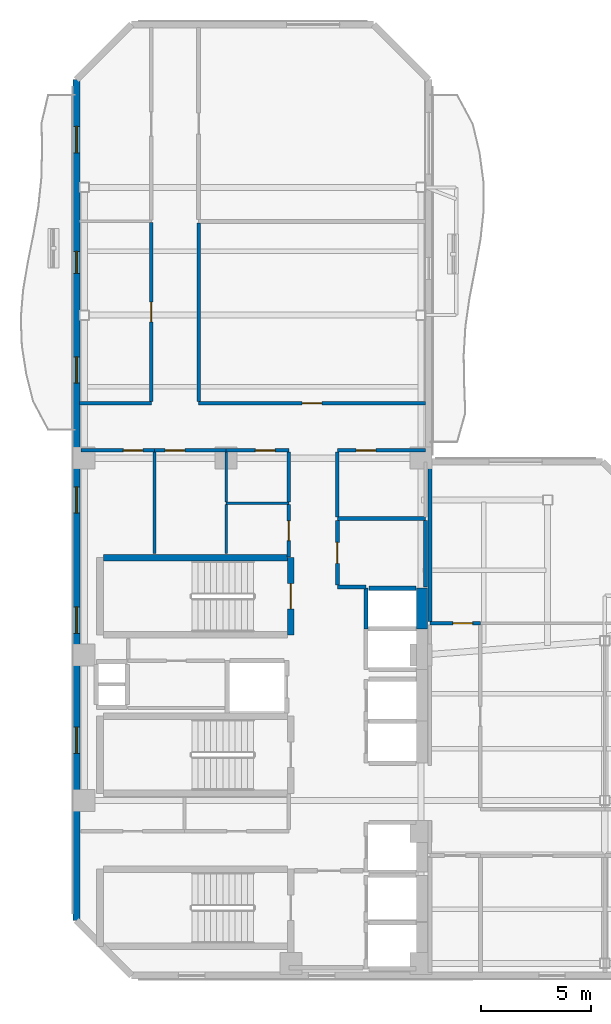
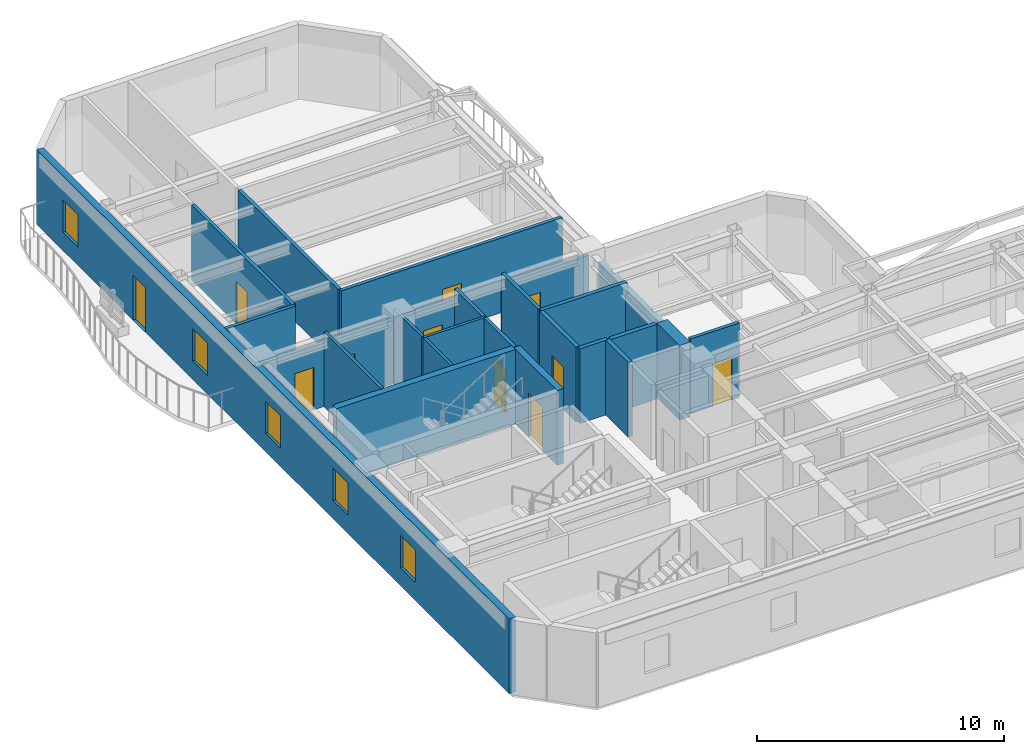
# One storey, part 4 of 13: 27 walls, 11 doors, 5 windows, 16 openings.
"""IFC4 building model written with IfcOpenShell, lengths in metres."""

from ifc_helpers import new_model, si_unit, direction, frame, frame_2d, origin, place, context, subcontext, project, spatial, rectangle, extrude, material, layer, layer_set, type_object, element, fill, save


model = new_model("IFC4")

# Units and contexts
model_context = context("Model", 3, precision=1e-05, world=origin(), true_north=direction((0.0, 1.0)))
body_context = subcontext(model_context, "Body", "Model", "MODEL_VIEW")
ifc_project = project(units=[si_unit("LENGTHUNIT", "METRE"), si_unit("AREAUNIT", "SQUARE_METRE"), si_unit("VOLUMEUNIT", "CUBIC_METRE"), si_unit("PLANEANGLEUNIT", "RADIAN"), si_unit("MASSUNIT", "GRAM", prefix="KILO")], contexts=[model_context])

# Site, building, storey
site_placement = place(None, origin())
site = spatial("IfcSite", under=ifc_project, at=site_placement, CompositionType="ELEMENT")
building_placement = place(site_placement, origin())
building = spatial("IfcBuilding", under=site, at=building_placement, Name="Mawjaban Terraces University", CompositionType="ELEMENT")
storey_placement = place(building_placement, frame((0.0, 0.0, 199.199951171875)))
storey = spatial("IfcBuildingStorey", under=building, at=storey_placement, Name="L48", CompositionType="ELEMENT", Elevation=199.199951171875)

# Walls
ifc_material_1 = material(Name="Acoustic masonry blockwork", Category="masonry")
ifc_layer_1 = layer(ifc_material_1, 0.179931640625)
ifc_layer_set_1 = layer_set([ifc_layer_1], Name="Acoustic masonry blockwork")
wall_type_1 = type_object("IfcWallType", Name="AcousticStudioWall_180", PredefinedType="PARTITIONING", material=ifc_layer_set_1)
wall_1_placement = place(storey_placement, frame((33.85009765625, 17.64990234375, 0.0), z_axis=(0.0, 0.0, 1.0), x_axis=(1.0, 0.0, 0.0)))
element("IfcWall", 1, at=wall_1_placement, inside=storey, type_object=wall_type_1, Name="L48 Graduate Research Collaboration Studio Partition 12", PredefinedType="PARTITIONING", context=body_context, shape_type="SweptSolid", body=[
    extrude(rectangle(XDim=1.2998046875, YDim=0.179931640625, at=frame_2d((0.64990234375, 0.0))), origin(), (0.0, 0.0, 1.0), 3.68994140625),
])
wall_2_placement = place(storey_placement, frame((37.85009765625, 20.75, 0.0), z_axis=(0.0, 0.0, 1.0), x_axis=(-1.0, 0.0, 0.0)))
element("IfcWall", 2, at=wall_2_placement, inside=storey, type_object=wall_type_1, Name="L48 Graduate Research Collaboration Studio Partition 14", PredefinedType="PARTITIONING", context=body_context, shape_type="SweptSolid", body=[
    extrude(rectangle(XDim=4.0, YDim=0.179931640625, at=frame_2d((2.0, 0.0))), origin(), (0.0, 0.0, 1.0), 3.68994140625),
])

# Wall, opening, door
wall_3_placement = place(storey_placement, frame((33.85009765625, 17.735107421875, 0.0), z_axis=(0.0, 0.0, 1.0), x_axis=(0.0, 1.0, 0.0)))
wall_3 = element("IfcWall", 3, at=wall_3_placement, inside=storey, type_object=wall_type_1, Name="L48 Core North Lift Lobby Partition 42", PredefinedType="PARTITIONING", context=body_context, shape_type="SweptSolid", body=[
    extrude(rectangle(XDim=2.929931640625, YDim=0.179931640625, at=frame_2d((1.46484375, 0.0))), origin(), (0.0, 0.0, 1.0), 3.68994140625),
])
opening_1_placement = place(wall_3_placement, frame((0.989990234375, 0.0, 0.0)))
opening_1 = element("IfcOpeningElement", 4, at=opening_1_placement, cuts=wall_3, Name="Opening ID-095", PredefinedType="OPENING", context=body_context, shape_type="SweptSolid", body=[
    extrude(rectangle(XDim=0.949951171875, YDim=2.10009765625, at=frame_2d((0.47509765625, 1.050048828125))), frame((0.0, 0.099853515625, 0.0), z_axis=(0.0, -1.0, 0.0), x_axis=(1.0, 0.0, 0.0)), (0.0, 0.0, 1.0), 0.199951171875),
])
ifc_material_2 = material(Name="Powder-coated steel frame and solid acoustic timber leaf", Category="steel")
door_type_1 = type_object("IfcDoorType", Name="StudioDoor_950x2100", OperationType="NOTDEFINED", PredefinedType="DOOR", material=ifc_material_2)
door_1_placement = place(opening_1_placement, origin())
door_1 = element("IfcDoor", 5, at=door_1_placement, inside=storey, type_object=door_type_1, Name="L48 Graduate Research Collaboration Studio Door", OperationType="SINGLE_SWING_LEFT", OverallHeight=2.10009765625, OverallWidth=0.949951171875, PredefinedType="DOOR", context=body_context, shape_type="SweptSolid", body=[
    extrude(rectangle(XDim=0.949951171875, YDim=2.10009765625, at=frame_2d((0.47509765625, 1.050048828125))), frame((0.0, 0.02490234375, 0.0), z_axis=(0.0, -1.0, 0.0), x_axis=(1.0, 0.0, 0.0)), (0.0, 0.0, 1.0), 0.050048828125),
])
fill(opening_1, door_1)

# Walls
wall_4_placement = place(storey_placement, frame((37.85009765625, 17.64990234375, 0.0), z_axis=(0.0, 0.0, 1.0), x_axis=(0.0, 1.0, 0.0)))
element("IfcWall", 6, at=wall_4_placement, inside=storey, type_object=wall_type_1, Name="L48 Graduate Research Collaboration Studio Partition 44", PredefinedType="PARTITIONING", context=body_context, shape_type="SweptSolid", body=[
    extrude(rectangle(XDim=3.01513671875, YDim=0.179931640625, at=frame_2d((1.507568359375, 0.0))), origin(), (0.0, 0.0, 1.0), 3.13916015625),
])
wall_5_placement = place(storey_placement, frame((38.050048828125, 23.18994140625, 0.0), z_axis=(0.0, 0.0, 1.0), x_axis=(0.0, -1.0, 0.0)))
element("IfcWall", 7, at=wall_5_placement, inside=storey, type_object=wall_type_1, Name="L48 Terrace Collaborative Study Room Partition 49", PredefinedType="PARTITIONING", context=body_context, shape_type="SweptSolid", body=[
    extrude(rectangle(XDim=7.114990234375, YDim=0.179931640625, at=frame_2d((3.5576171875, 0.0))), origin(), (0.0, 0.0, 1.0), 3.13916015625),
])
ifc_material_3 = material(Name="Concrete C60/75", Category="concrete")
ifc_layer_2 = layer(ifc_material_3, 0.5)
ifc_layer_set_2 = layer_set([ifc_layer_2], Name="Concrete C60/75")
wall_type_2 = type_object("IfcWallType", Name="CoreShearWall_500", PredefinedType="SHEAR", material=ifc_layer_set_2)
wall_6_placement = place(storey_placement, frame((37.699951171875, 15.75, 0.0), z_axis=(0.0, 0.0, 1.0), x_axis=(0.0, 1.0, 0.0)))
element("IfcWall", 8, at=wall_6_placement, inside=storey, type_object=wall_type_2, Name="L48 Lift OL-2 Hoistway Wall East", PredefinedType="SHEAR", context=body_context, shape_type="SweptSolid", body=[
    extrude(rectangle(XDim=1.85009765625, YDim=0.5, at=frame_2d((0.925048828125, 0.0))), origin(), (0.0, 0.0, 1.0), 3.68994140625),
])
ifc_material_4 = material(Name="Fire-rated gypsum board on steel stud", Category="steel")
ifc_layer_3 = layer(ifc_material_4, 0.159912109375)
ifc_layer_set_3 = layer_set([ifc_layer_3], Name="Fire-rated gypsum board on steel stud")
wall_type_3 = type_object("IfcWallType", Name="CorridorPartition_160", PredefinedType="PARTITIONING", material=ifc_layer_set_3)
wall_7_placement = place(storey_placement, frame((25.39990234375, 26.0, 0.0), z_axis=(0.0, 0.0, 1.0), x_axis=(-1.0, 0.0, 0.0)))
element("IfcWall", 9, at=wall_7_placement, inside=storey, type_object=wall_type_3, Name="L48 North Core Cross-Corridor Partition 3", PredefinedType="PARTITIONING", context=body_context, shape_type="SweptSolid", body=[
    extrude(rectangle(XDim=3.2548828125, YDim=0.159912109375, at=frame_2d((1.62744140625, 0.0))), origin(), (0.0, 0.0, 1.0), 3.68994140625),
])

# Wall, opening, door
wall_8_placement = place(storey_placement, frame((25.550048828125, 23.85009765625, 0.0), z_axis=(0.0, 0.0, 1.0), x_axis=(-1.0, 0.0, 0.0)))
wall_8 = element("IfcWall", 10, at=wall_8_placement, inside=storey, type_object=wall_type_3, Name="L48 Female Toilet Partition 5", PredefinedType="PARTITIONING", context=body_context, shape_type="SweptSolid", body=[
    extrude(rectangle(XDim=3.35009765625, YDim=0.159912109375, at=frame_2d((1.675048828125, 0.0))), origin(), (0.0, 0.0, 1.0), 3.13916015625),
])
opening_2_placement = place(wall_8_placement, frame((0.534912109375, 0.0, 0.0)))
opening_2 = element("IfcOpeningElement", 11, at=opening_2_placement, cuts=wall_8, Name="Opening ID-088", PredefinedType="OPENING", context=body_context, shape_type="SweptSolid", body=[
    extrude(rectangle(XDim=0.8798828125, YDim=2.10009765625, at=frame_2d((0.43994140625, 1.050048828125))), frame((0.0, 0.08984375, 0.0), z_axis=(0.0, -1.0, 0.0), x_axis=(1.0, 0.0, 0.0)), (0.0, 0.0, 1.0), 0.179931640625),
])
door_type_2 = type_object("IfcDoorType", Name="ToiletDoor_880x2100", OperationType="NOTDEFINED", PredefinedType="DOOR", material=ifc_material_2)
door_2_placement = place(opening_2_placement, origin())
door_2 = element("IfcDoor", 12, at=door_2_placement, inside=storey, type_object=door_type_2, Name="L48 Female Toilet Door", OperationType="SINGLE_SWING_RIGHT", OverallHeight=2.10009765625, OverallWidth=0.8798828125, PredefinedType="DOOR", context=body_context, shape_type="SweptSolid", body=[
    extrude(rectangle(XDim=0.8798828125, YDim=2.10009765625, at=frame_2d((0.43994140625, 1.050048828125))), frame((0.0, 0.02490234375, 0.0), z_axis=(0.0, -1.0, 0.0), x_axis=(1.0, 0.0, 0.0)), (0.0, 0.0, 1.0), 0.050048828125),
])
fill(opening_2, door_2)

wall_9_placement = place(storey_placement, frame((28.800048828125, 23.85009765625, 0.0), z_axis=(0.0, 0.0, 1.0), x_axis=(-1.0, 0.0, 0.0)))
wall_9 = element("IfcWall", 13, at=wall_9_placement, inside=storey, type_object=wall_type_3, Name="L48 Staff Tea Pantry Partition 7", PredefinedType="PARTITIONING", context=body_context, shape_type="SweptSolid", body=[
    extrude(rectangle(XDim=3.25, YDim=0.159912109375, at=frame_2d((1.625, 0.0))), origin(), (0.0, 0.0, 1.0), 3.13916015625),
])
opening_3_placement = place(wall_9_placement, frame((1.875, 0.0, 0.0)))
opening_3 = element("IfcOpeningElement", 14, at=opening_3_placement, cuts=wall_9, Name="Opening ID-090", PredefinedType="OPENING", context=body_context, shape_type="SweptSolid", body=[
    extrude(rectangle(XDim=0.89990234375, YDim=2.10009765625, at=frame_2d((0.449951171875, 1.050048828125))), frame((0.0, 0.08984375, 0.0), z_axis=(0.0, -1.0, 0.0), x_axis=(1.0, 0.0, 0.0)), (0.0, 0.0, 1.0), 0.179931640625),
])
door_type_3 = type_object("IfcDoorType", Name="OfficeDoor_900x2100", OperationType="NOTDEFINED", PredefinedType="DOOR", material=ifc_material_2)
door_3_placement = place(opening_3_placement, origin())
door_3 = element("IfcDoor", 15, at=door_3_placement, inside=storey, type_object=door_type_3, Name="L48 Staff Tea Pantry Door", OperationType="SINGLE_SWING_LEFT", OverallHeight=2.10009765625, OverallWidth=0.89990234375, PredefinedType="DOOR", context=body_context, shape_type="SweptSolid", body=[
    extrude(rectangle(XDim=0.89990234375, YDim=2.10009765625, at=frame_2d((0.449951171875, 1.050048828125))), frame((0.0, 0.02490234375, 0.0), z_axis=(0.0, -1.0, 0.0), x_axis=(1.0, 0.0, 0.0)), (0.0, 0.0, 1.0), 0.050048828125),
])
fill(opening_3, door_3)

wall_10_placement = place(storey_placement, frame((31.64990234375, 23.85009765625, 0.0), z_axis=(0.0, 0.0, 1.0), x_axis=(-1.0, 0.0, 0.0)))
wall_10 = element("IfcWall", 16, at=wall_10_placement, inside=storey, type_object=wall_type_3, Name="L48 Faculty Consultation Alcove Partition 11", PredefinedType="PARTITIONING", context=body_context, shape_type="SweptSolid", body=[
    extrude(rectangle(XDim=2.849853515625, YDim=0.159912109375, at=frame_2d((1.4248046875, 0.0))), origin(), (0.0, 0.0, 1.0), 3.13916015625),
])
opening_4_placement = place(wall_10_placement, frame((0.625, 0.0, 0.0)))
opening_4 = element("IfcOpeningElement", 17, at=opening_4_placement, cuts=wall_10, Name="Opening ID-090", PredefinedType="OPENING", context=body_context, shape_type="SweptSolid", body=[
    extrude(rectangle(XDim=0.89990234375, YDim=2.10009765625, at=frame_2d((0.449951171875, 1.050048828125))), frame((0.0, 0.08984375, 0.0), z_axis=(0.0, -1.0, 0.0), x_axis=(1.0, 0.0, 0.0)), (0.0, 0.0, 1.0), 0.179931640625),
])
door_4_placement = place(opening_4_placement, origin())
door_4 = element("IfcDoor", 18, at=door_4_placement, inside=storey, type_object=door_type_3, Name="L48 Faculty Consultation Alcove Door", OperationType="SINGLE_SWING_RIGHT", OverallHeight=2.10009765625, OverallWidth=0.89990234375, PredefinedType="DOOR", context=body_context, shape_type="SweptSolid", body=[
    extrude(rectangle(XDim=0.89990234375, YDim=2.10009765625, at=frame_2d((0.449951171875, 1.050048828125))), frame((0.0, 0.02490234375, 0.0), z_axis=(0.0, -1.0, 0.0), x_axis=(1.0, 0.0, 0.0)), (0.0, 0.0, 1.0), 0.050048828125),
])
fill(opening_4, door_4)

wall_11_placement = place(storey_placement, frame((37.85009765625, 23.85009765625, 0.0), z_axis=(0.0, 0.0, 1.0), x_axis=(-1.0, 0.0, 0.0)))
wall_11 = element("IfcWall", 19, at=wall_11_placement, inside=storey, type_object=wall_type_3, Name="L48 Departmental Copy and Archive Room Partition 15", PredefinedType="PARTITIONING", context=body_context, shape_type="SweptSolid", body=[
    extrude(rectangle(XDim=4.0, YDim=0.159912109375, at=frame_2d((2.0, 0.0))), origin(), (0.0, 0.0, 1.0), 3.13916015625),
])
opening_5_placement = place(wall_11_placement, frame((2.25, 0.0, 0.0)))
opening_5 = element("IfcOpeningElement", 20, at=opening_5_placement, cuts=wall_11, Name="Opening ID-090", PredefinedType="OPENING", context=body_context, shape_type="SweptSolid", body=[
    extrude(rectangle(XDim=0.89990234375, YDim=2.10009765625, at=frame_2d((0.449951171875, 1.050048828125))), frame((0.0, 0.08984375, 0.0), z_axis=(0.0, -1.0, 0.0), x_axis=(1.0, 0.0, 0.0)), (0.0, 0.0, 1.0), 0.179931640625),
])
door_5_placement = place(opening_5_placement, origin())
door_5 = element("IfcDoor", 21, at=door_5_placement, inside=storey, type_object=door_type_3, Name="L48 Departmental Copy and Archive Room Door", OperationType="SINGLE_SWING_RIGHT", OverallHeight=2.10009765625, OverallWidth=0.89990234375, PredefinedType="DOOR", context=body_context, shape_type="SweptSolid", body=[
    extrude(rectangle(XDim=0.89990234375, YDim=2.10009765625, at=frame_2d((0.449951171875, 1.050048828125))), frame((0.0, 0.02490234375, 0.0), z_axis=(0.0, -1.0, 0.0), x_axis=(1.0, 0.0, 0.0)), (0.0, 0.0, 1.0), 0.050048828125),
])
fill(opening_5, door_5)

wall_12_placement = place(storey_placement, frame((37.85009765625, 26.0, 0.0), z_axis=(0.0, 0.0, 1.0), x_axis=(-1.0, 0.0, 0.0)))
wall_12 = element("IfcWall", 22, at=wall_12_placement, inside=storey, type_object=wall_type_3, Name="L48 North Core Cross-Corridor Partition 16", PredefinedType="PARTITIONING", context=body_context, shape_type="SweptSolid", body=[
    extrude(rectangle(XDim=10.300048828125, YDim=0.159912109375, at=frame_2d((5.14990234375, 0.0))), origin(), (0.0, 0.0, 1.0), 3.68994140625),
])
opening_6_placement = place(wall_12_placement, frame((4.699951171875, 0.0, 0.0)))
opening_6 = element("IfcOpeningElement", 23, at=opening_6_placement, cuts=wall_12, Name="Opening ID-090", PredefinedType="OPENING", context=body_context, shape_type="SweptSolid", body=[
    extrude(rectangle(XDim=0.89990234375, YDim=2.10009765625, at=frame_2d((0.449951171875, 1.050048828125))), frame((0.0, 0.08984375, 0.0), z_axis=(0.0, -1.0, 0.0), x_axis=(1.0, 0.0, 0.0)), (0.0, 0.0, 1.0), 0.179931640625),
])
door_6_placement = place(opening_6_placement, origin())
door_6 = element("IfcDoor", 24, at=door_6_placement, inside=storey, type_object=door_type_3, Name="L48 Faculty Office 11 Door", OperationType="SINGLE_SWING_RIGHT", OverallHeight=2.10009765625, OverallWidth=0.89990234375, PredefinedType="DOOR", context=body_context, shape_type="SweptSolid", body=[
    extrude(rectangle(XDim=0.89990234375, YDim=2.10009765625, at=frame_2d((0.449951171875, 1.050048828125))), frame((0.0, 0.02490234375, 0.0), z_axis=(0.0, -1.0, 0.0), x_axis=(1.0, 0.0, 0.0)), (0.0, 0.0, 1.0), 0.050048828125),
])
fill(opening_6, door_6)

wall_13_placement = place(storey_placement, frame((40.35009765625, 16.0, 0.0), z_axis=(0.0, 0.0, 1.0), x_axis=(-1.0, 0.0, 0.0)))
wall_13 = element("IfcWall", 25, at=wall_13_placement, inside=storey, type_object=wall_type_3, Name="L48 South Spine Spur Link Partition 20", PredefinedType="PARTITIONING", context=body_context, shape_type="SweptSolid", body=[
    extrude(rectangle(XDim=2.300048828125, YDim=0.159912109375, at=frame_2d((1.14990234375, 0.0))), origin(), (0.0, 0.0, 1.0), 3.68994140625),
])
opening_7_placement = place(wall_13_placement, frame((0.35009765625, 0.0, 0.0)))
opening_7 = element("IfcOpeningElement", 26, at=opening_7_placement, cuts=wall_13, Name="Opening ID-090", PredefinedType="OPENING", context=body_context, shape_type="SweptSolid", body=[
    extrude(rectangle(XDim=0.89990234375, YDim=2.10009765625, at=frame_2d((0.449951171875, 1.050048828125))), frame((0.0, 0.08984375, 0.0), z_axis=(0.0, -1.0, 0.0), x_axis=(1.0, 0.0, 0.0)), (0.0, 0.0, 1.0), 0.179931640625),
])
door_7_placement = place(opening_7_placement, origin())
door_7 = element("IfcDoor", 27, at=door_7_placement, inside=storey, type_object=door_type_3, Name="L48 Terrace Collaborative Study Room Door", OperationType="SINGLE_SWING_LEFT", OverallHeight=2.10009765625, OverallWidth=0.89990234375, PredefinedType="DOOR", context=body_context, shape_type="SweptSolid", body=[
    extrude(rectangle(XDim=0.89990234375, YDim=2.10009765625, at=frame_2d((0.449951171875, 1.050048828125))), frame((0.0, 0.02490234375, 0.0), z_axis=(0.0, -1.0, 0.0), x_axis=(1.0, 0.0, 0.0)), (0.0, 0.0, 1.0), 0.050048828125),
])
fill(opening_7, door_7)

wall_14_placement = place(storey_placement, frame((25.39990234375, 34.2099609375, 0.0), z_axis=(0.0, 0.0, 1.0), x_axis=(0.0, -1.0, 0.0)))
wall_14 = element("IfcWall", 28, at=wall_14_placement, inside=storey, type_object=wall_type_3, Name="L48 West Shifted Academic Corridor Partition 31", PredefinedType="PARTITIONING", context=body_context, shape_type="SweptSolid", body=[
    extrude(rectangle(XDim=8.135009765625, YDim=0.159912109375, at=frame_2d((4.0673828125, 0.0))), origin(), (0.0, 0.0, 1.0), 3.68994140625),
])
opening_8_placement = place(wall_14_placement, frame((3.617919921875, 0.0, 0.0)))
opening_8 = element("IfcOpeningElement", 29, at=opening_8_placement, cuts=wall_14, Name="Opening ID-090", PredefinedType="OPENING", context=body_context, shape_type="SweptSolid", body=[
    extrude(rectangle(XDim=0.89990234375, YDim=2.10009765625, at=frame_2d((0.449951171875, 1.050048828125))), frame((0.0, 0.08984375, 0.0), z_axis=(0.0, -1.0, 0.0), x_axis=(1.0, 0.0, 0.0)), (0.0, 0.0, 1.0), 0.179931640625),
])
door_8_placement = place(opening_8_placement, origin())
door_8 = element("IfcDoor", 30, at=door_8_placement, inside=storey, type_object=door_type_3, Name="L48 Seminar Room 10 Door", OperationType="SINGLE_SWING_LEFT", OverallHeight=2.10009765625, OverallWidth=0.89990234375, PredefinedType="DOOR", context=body_context, shape_type="SweptSolid", body=[
    extrude(rectangle(XDim=0.89990234375, YDim=2.10009765625, at=frame_2d((0.449951171875, 1.050048828125))), frame((0.0, 0.02490234375, 0.0), z_axis=(0.0, -1.0, 0.0), x_axis=(1.0, 0.0, 0.0)), (0.0, 0.0, 1.0), 0.050048828125),
])
fill(opening_8, door_8)

# Wall
wall_15_placement = place(storey_placement, frame((27.550048828125, 26.074951171875, 0.0), z_axis=(0.0, 0.0, 1.0), x_axis=(0.0, 1.0, 0.0)))
element("IfcWall", 31, at=wall_15_placement, inside=storey, type_object=wall_type_3, Name="L48 West Shifted Academic Corridor Partition 35", PredefinedType="PARTITIONING", context=body_context, shape_type="SweptSolid", body=[
    extrude(rectangle(XDim=8.10009765625, YDim=0.159912109375, at=frame_2d((4.050048828125, 0.0))), origin(), (0.0, 0.0, 1.0), 3.68994140625),
])

# Wall, opening, door
wall_16_placement = place(storey_placement, frame((31.64990234375, 19.010009765625, 0.0), z_axis=(0.0, 0.0, 1.0), x_axis=(0.0, 1.0, 0.0)))
wall_16 = element("IfcWall", 32, at=wall_16_placement, inside=storey, type_object=wall_type_3, Name="L48 Faculty Academic Resource Office Partition 40", PredefinedType="PARTITIONING", context=body_context, shape_type="SweptSolid", body=[
    extrude(rectangle(XDim=2.382080078125, YDim=0.159912109375, at=frame_2d((1.19091796875, 0.0))), origin(), (0.0, 0.0, 1.0), 3.68994140625),
])
opening_9_placement = place(wall_16_placement, frame((0.740966796875, 0.0, 0.0)))
opening_9 = element("IfcOpeningElement", 33, at=opening_9_placement, cuts=wall_16, Name="Opening ID-090", PredefinedType="OPENING", context=body_context, shape_type="SweptSolid", body=[
    extrude(rectangle(XDim=0.89990234375, YDim=2.10009765625, at=frame_2d((0.449951171875, 1.050048828125))), frame((0.0, 0.08984375, 0.0), z_axis=(0.0, -1.0, 0.0), x_axis=(1.0, 0.0, 0.0)), (0.0, 0.0, 1.0), 0.179931640625),
])
door_9_placement = place(opening_9_placement, origin())
door_9 = element("IfcDoor", 34, at=door_9_placement, inside=storey, type_object=door_type_3, Name="L48 Faculty Academic Resource Office Door", OperationType="SINGLE_SWING_LEFT", OverallHeight=2.10009765625, OverallWidth=0.89990234375, PredefinedType="DOOR", context=body_context, shape_type="SweptSolid", body=[
    extrude(rectangle(XDim=0.89990234375, YDim=2.10009765625, at=frame_2d((0.449951171875, 1.050048828125))), frame((0.0, 0.02490234375, 0.0), z_axis=(0.0, -1.0, 0.0), x_axis=(1.0, 0.0, 0.0)), (0.0, 0.0, 1.0), 0.050048828125),
])
fill(opening_9, door_9)

# Walls
wall_17_placement = place(storey_placement, frame((31.64990234375, 23.77490234375, 0.0), z_axis=(0.0, 0.0, 1.0), x_axis=(0.0, -1.0, 0.0)))
element("IfcWall", 35, at=wall_17_placement, inside=storey, type_object=wall_type_3, Name="L48 Core North Lift Lobby Partition 41", PredefinedType="PARTITIONING", context=body_context, shape_type="SweptSolid", body=[
    extrude(rectangle(XDim=2.266845703125, YDim=0.159912109375, at=frame_2d((1.13330078125, 0.0))), origin(), (0.0, 0.0, 1.0), 3.68994140625),
])
wall_18_placement = place(storey_placement, frame((33.85009765625, 20.8349609375, 0.0), z_axis=(0.0, 0.0, 1.0), x_axis=(0.0, 1.0, 0.0)))
element("IfcWall", 36, at=wall_18_placement, inside=storey, type_object=wall_type_3, Name="L48 Core North Lift Lobby Partition 43", PredefinedType="PARTITIONING", context=body_context, shape_type="SweptSolid", body=[
    extrude(rectangle(XDim=2.93994140625, YDim=0.159912109375, at=frame_2d((1.469970703125, 0.0))), origin(), (0.0, 0.0, 1.0), 3.68994140625),
])

# Wall, openings, door, windows
ifc_material_5 = material(Name="Insulated terracotta rainscreen on concrete backup C40/50", Category="masonry")
ifc_layer_4 = layer(ifc_material_5, 0.300048828125)
ifc_layer_set_4 = layer_set([ifc_layer_4], Name="Insulated terracotta rainscreen on concrete backup C40/50")
wall_type_4 = type_object("IfcWallType", Name="ExtTerracottaWall_300", PredefinedType="SOLIDWALL", material=ifc_layer_set_4)
wall_19_placement = place(storey_placement, frame((22.0, 40.699951171875, 0.0), z_axis=(0.0, 0.0, 1.0), x_axis=(0.0, -1.0, 0.0)))
wall_19 = element("IfcWall", 37, at=wall_19_placement, inside=storey, type_object=wall_type_4, Name="L48 Exterior Terracotta Wall 13", PredefinedType="SOLIDWALL", context=body_context, shape_type="SweptSolid", body=[
    extrude(rectangle(XDim=38.199951171875, YDim=0.300048828125, at=frame_2d((19.10009765625, 0.0))), origin(), (0.0, 0.0, 1.0), 3.68994140625),
])
opening_10_placement = place(wall_19_placement, frame((7.800048828125, 0.0, 0.0)))
opening_10 = element("IfcOpeningElement", 38, at=opening_10_placement, cuts=wall_19, Name="Opening BD-100", PredefinedType="OPENING", context=body_context, shape_type="SweptSolid", body=[
    extrude(rectangle(XDim=1.0, YDim=2.199951171875, at=frame_2d((0.5, 1.10009765625))), frame((0.0, 0.159912109375, 0.0), z_axis=(0.0, -1.0, 0.0), x_axis=(1.0, 0.0, 0.0)), (0.0, 0.0, 1.0), 0.320068359375),
])
opening_11_placement = place(wall_19_placement, frame((2.12890625, 0.0, 0.89990234375)))
opening_11 = element("IfcOpeningElement", 39, at=opening_11_placement, cuts=wall_19, Name="Opening W-01", PredefinedType="OPENING", context=body_context, shape_type="SweptSolid", body=[
    extrude(rectangle(XDim=1.199951171875, YDim=1.60009765625, at=frame_2d((0.60009765625, 0.800048828125))), frame((0.0, 0.159912109375, 0.0), z_axis=(0.0, -1.0, 0.0), x_axis=(1.0, 0.0, 0.0)), (0.0, 0.0, 1.0), 0.320068359375),
])
opening_12_placement = place(wall_19_placement, frame((12.593017578125, 0.0, 0.89990234375)))
opening_12 = element("IfcOpeningElement", 40, at=opening_12_placement, cuts=wall_19, Name="Opening W-01", PredefinedType="OPENING", context=body_context, shape_type="SweptSolid", body=[
    extrude(rectangle(XDim=1.199951171875, YDim=1.60009765625, at=frame_2d((0.60009765625, 0.800048828125))), frame((0.0, 0.159912109375, 0.0), z_axis=(0.0, -1.0, 0.0), x_axis=(1.0, 0.0, 0.0)), (0.0, 0.0, 1.0), 0.320068359375),
])
opening_13_placement = place(wall_19_placement, frame((18.5, 0.0, 0.89990234375)))
opening_13 = element("IfcOpeningElement", 41, at=opening_13_placement, cuts=wall_19, Name="Opening W-01", PredefinedType="OPENING", context=body_context, shape_type="SweptSolid", body=[
    extrude(rectangle(XDim=1.199951171875, YDim=1.60009765625, at=frame_2d((0.60009765625, 0.800048828125))), frame((0.0, 0.159912109375, 0.0), z_axis=(0.0, -1.0, 0.0), x_axis=(1.0, 0.0, 0.0)), (0.0, 0.0, 1.0), 0.320068359375),
])
opening_14_placement = place(wall_19_placement, frame((23.95703125, 0.0, 0.89990234375)))
opening_14 = element("IfcOpeningElement", 42, at=opening_14_placement, cuts=wall_19, Name="Opening W-01", PredefinedType="OPENING", context=body_context, shape_type="SweptSolid", body=[
    extrude(rectangle(XDim=1.199951171875, YDim=1.60009765625, at=frame_2d((0.60009765625, 0.800048828125))), frame((0.0, 0.159912109375, 0.0), z_axis=(0.0, -1.0, 0.0), x_axis=(1.0, 0.0, 0.0)), (0.0, 0.0, 1.0), 0.320068359375),
])
opening_15_placement = place(wall_19_placement, frame((29.4140625, 0.0, 0.89990234375)))
opening_15 = element("IfcOpeningElement", 43, at=opening_15_placement, cuts=wall_19, Name="Opening W-01", PredefinedType="OPENING", context=body_context, shape_type="SweptSolid", body=[
    extrude(rectangle(XDim=1.199951171875, YDim=1.60009765625, at=frame_2d((0.60009765625, 0.800048828125))), frame((0.0, 0.159912109375, 0.0), z_axis=(0.0, -1.0, 0.0), x_axis=(1.0, 0.0, 0.0)), (0.0, 0.0, 1.0), 0.320068359375),
])
ifc_material_6 = material(Name="Thermally broken anodised aluminium and laminated safety glass", Category="aluminium")
door_type_4 = type_object("IfcDoorType", Name="BalconyGlazedDoor_1000x2200", OperationType="NOTDEFINED", PredefinedType="DOOR", material=ifc_material_6)
door_10_placement = place(opening_10_placement, origin())
door_10 = element("IfcDoor", 44, at=door_10_placement, inside=storey, type_object=door_type_4, Name="L48 Balcony Access Door west", OperationType="SINGLE_SWING_LEFT", OverallHeight=2.199951171875, OverallWidth=1.0, PredefinedType="DOOR", context=body_context, shape_type="SweptSolid", body=[
    extrude(rectangle(XDim=1.0, YDim=2.199951171875, at=frame_2d((0.5, 1.10009765625))), frame((0.0, 0.02490234375, 0.0), z_axis=(0.0, -1.0, 0.0), x_axis=(1.0, 0.0, 0.0)), (0.0, 0.0, 1.0), 0.050048828125),
])
fill(opening_10, door_10)
ifc_material_7 = material(Name="Low-E solar-control double glazing in thermally broken aluminium frame", Category="aluminium")
window_type = type_object("IfcWindowType", Name="Win_1200x1600", PartitioningType="SINGLE_PANEL", PredefinedType="WINDOW", material=ifc_material_7)
window_1_placement = place(opening_11_placement, origin())
window_1 = element("IfcWindow", 45, at=window_1_placement, inside=storey, type_object=window_type, Name="L48 Facade Window 13.1", OverallHeight=1.60009765625, OverallWidth=1.199951171875, PartitioningType="SINGLE_PANEL", PredefinedType="WINDOW", context=body_context, shape_type="SweptSolid", body=[
    extrude(rectangle(XDim=1.199951171875, YDim=1.60009765625, at=frame_2d((0.60009765625, 0.800048828125))), frame((0.0, 0.030029296875, 0.0), z_axis=(0.0, -1.0, 0.0), x_axis=(1.0, 0.0, 0.0)), (0.0, 0.0, 1.0), 0.06005859375),
])
fill(opening_11, window_1)
window_2_placement = place(opening_12_placement, origin())
window_2 = element("IfcWindow", 46, at=window_2_placement, inside=storey, type_object=window_type, Name="L48 Facade Window 13.3", OverallHeight=1.60009765625, OverallWidth=1.199951171875, PartitioningType="SINGLE_PANEL", PredefinedType="WINDOW", context=body_context, shape_type="SweptSolid", body=[
    extrude(rectangle(XDim=1.199951171875, YDim=1.60009765625, at=frame_2d((0.60009765625, 0.800048828125))), frame((0.0, 0.030029296875, 0.0), z_axis=(0.0, -1.0, 0.0), x_axis=(1.0, 0.0, 0.0)), (0.0, 0.0, 1.0), 0.06005859375),
])
fill(opening_12, window_2)
window_3_placement = place(opening_13_placement, origin())
window_3 = element("IfcWindow", 47, at=window_3_placement, inside=storey, type_object=window_type, Name="L48 Facade Window 13.4", OverallHeight=1.60009765625, OverallWidth=1.199951171875, PartitioningType="SINGLE_PANEL", PredefinedType="WINDOW", context=body_context, shape_type="SweptSolid", body=[
    extrude(rectangle(XDim=1.199951171875, YDim=1.60009765625, at=frame_2d((0.60009765625, 0.800048828125))), frame((0.0, 0.030029296875, 0.0), z_axis=(0.0, -1.0, 0.0), x_axis=(1.0, 0.0, 0.0)), (0.0, 0.0, 1.0), 0.06005859375),
])
fill(opening_13, window_3)
window_4_placement = place(opening_14_placement, origin())
window_4 = element("IfcWindow", 48, at=window_4_placement, inside=storey, type_object=window_type, Name="L48 Facade Window 13.5", OverallHeight=1.60009765625, OverallWidth=1.199951171875, PartitioningType="SINGLE_PANEL", PredefinedType="WINDOW", context=body_context, shape_type="SweptSolid", body=[
    extrude(rectangle(XDim=1.199951171875, YDim=1.60009765625, at=frame_2d((0.60009765625, 0.800048828125))), frame((0.0, 0.030029296875, 0.0), z_axis=(0.0, -1.0, 0.0), x_axis=(1.0, 0.0, 0.0)), (0.0, 0.0, 1.0), 0.06005859375),
])
fill(opening_14, window_4)
window_5_placement = place(opening_15_placement, origin())
window_5 = element("IfcWindow", 49, at=window_5_placement, inside=storey, type_object=window_type, Name="L48 Facade Window 13.6", OverallHeight=1.60009765625, OverallWidth=1.199951171875, PartitioningType="SINGLE_PANEL", PredefinedType="WINDOW", context=body_context, shape_type="SweptSolid", body=[
    extrude(rectangle(XDim=1.199951171875, YDim=1.60009765625, at=frame_2d((0.60009765625, 0.800048828125))), frame((0.0, 0.030029296875, 0.0), z_axis=(0.0, -1.0, 0.0), x_axis=(1.0, 0.0, 0.0)), (0.0, 0.0, 1.0), 0.06005859375),
])
fill(opening_15, window_5)

# Walls
ifc_material_8 = material(Name="Concrete C40/50", Category="concrete")
ifc_layer_5 = layer(ifc_material_8, 0.199951171875)
ifc_layer_set_5 = layer_set([ifc_layer_5], Name="Concrete C40/50")
wall_type_5 = type_object("IfcWallType", Name="FireLobbyWall_200", PredefinedType="SOLIDWALL", material=ifc_layer_set_5)
wall_20_placement = place(storey_placement, frame((35.14990234375, 17.60009765625, 0.0), z_axis=(0.0, 0.0, 1.0), x_axis=(0.0, -1.0, 0.0)))
element("IfcWall", 50, at=wall_20_placement, inside=storey, type_object=wall_type_5, Name="L48 Lift OL-2 Hoistway Wall West", PredefinedType="SOLIDWALL", context=body_context, shape_type="SweptSolid", body=[
    extrude(rectangle(XDim=1.85009765625, YDim=0.199951171875, at=frame_2d((0.925048828125, 0.0))), origin(), (0.0, 0.0, 1.0), 3.68994140625),
])
wall_21_placement = place(storey_placement, frame((37.419921875, 17.60009765625, 0.0), z_axis=(0.0, 0.0, 1.0), x_axis=(-1.0, 0.0, 0.0)))
element("IfcWall", 51, at=wall_21_placement, inside=storey, type_object=wall_type_5, Name="L48 Lift OL-2 Hoistway Wall North", PredefinedType="SOLIDWALL", context=body_context, shape_type="SweptSolid", body=[
    extrude(rectangle(XDim=2.139892578125, YDim=0.199951171875, at=frame_2d((1.06982421875, 0.0))), origin(), (0.0, 0.0, 1.0), 3.68994140625),
])
ifc_material_9 = material(Name="Gypsum plasterboard on steel stud", Category="steel")
ifc_layer_6 = layer(ifc_material_9, 0.125)
ifc_layer_set_6 = layer_set([ifc_layer_6], Name="Gypsum plasterboard on steel stud")
wall_type_6 = type_object("IfcWallType", Name="OfficePartition_125", PredefinedType="PARTITIONING", material=ifc_layer_set_6)
wall_22_placement = place(storey_placement, frame((31.64990234375, 21.449951171875, 0.0), z_axis=(0.0, 0.0, 1.0), x_axis=(-1.0, 0.0, 0.0)))
element("IfcWall", 52, at=wall_22_placement, inside=storey, type_object=wall_type_6, Name="L48 Faculty Academic Resource Office Partition 10", PredefinedType="PARTITIONING", context=body_context, shape_type="SweptSolid", body=[
    extrude(rectangle(XDim=2.849853515625, YDim=0.125, at=frame_2d((1.4248046875, 0.0))), origin(), (0.0, 0.0, 1.0), 3.68994140625),
])
wall_23_placement = place(storey_placement, frame((28.800048828125, 21.39208984375, 0.0), z_axis=(0.0, 0.0, 1.0), x_axis=(0.0, -1.0, 0.0)))
element("IfcWall", 53, at=wall_23_placement, inside=storey, type_object=wall_type_6, Name="L48 Faculty Academic Resource Office Partition 37", PredefinedType="PARTITIONING", context=body_context, shape_type="SweptSolid", body=[
    extrude(rectangle(XDim=2.232177734375, YDim=0.125, at=frame_2d((1.1162109375, 0.0))), origin(), (0.0, 0.0, 1.0), 3.68994140625),
])
wall_24_placement = place(storey_placement, frame((28.800048828125, 23.77490234375, 0.0), z_axis=(0.0, 0.0, 1.0), x_axis=(0.0, -1.0, 0.0)))
element("IfcWall", 54, at=wall_24_placement, inside=storey, type_object=wall_type_6, Name="L48 Faculty Consultation Alcove Partition 38", PredefinedType="PARTITIONING", context=body_context, shape_type="SweptSolid", body=[
    extrude(rectangle(XDim=2.266845703125, YDim=0.125, at=frame_2d((1.13330078125, 0.0))), origin(), (0.0, 0.0, 1.0), 3.68994140625),
])
ifc_layer_7 = layer(ifc_material_3, 0.300048828125)
ifc_layer_set_7 = layer_set([ifc_layer_7], Name="Concrete C60/75")
wall_type_7 = type_object("IfcWallType", Name="StairShaftWall_300", PredefinedType="SHEAR", material=ifc_layer_set_7)
wall_25_placement = place(storey_placement, frame((31.580078125, 18.97998046875, 0.0), z_axis=(0.0, 0.0, 1.0), x_axis=(-1.0, 0.0, 0.0)))
element("IfcWall", 55, at=wall_25_placement, inside=storey, type_object=wall_type_7, Name="L48 ST-2 Stair Shaft Wall 1", PredefinedType="SHEAR", context=body_context, shape_type="SweptSolid", body=[
    extrude(rectangle(XDim=8.360107421875, YDim=0.300048828125, at=frame_2d((4.18017578125, 0.0))), origin(), (0.0, 0.0, 1.0), 3.68994140625),
])

# Wall, opening, door
wall_26_placement = place(storey_placement, frame((31.72998046875, 15.469970703125, 0.0), z_axis=(0.0, 0.0, 1.0), x_axis=(0.0, 1.0, 0.0)))
wall_26 = element("IfcWall", 56, at=wall_26_placement, inside=storey, type_object=wall_type_7, Name="L48 ST-2 Stair Shaft Wall 4", PredefinedType="SHEAR", context=body_context, shape_type="SweptSolid", body=[
    extrude(rectangle(XDim=3.510009765625, YDim=0.300048828125, at=frame_2d((1.7548828125, 0.0))), origin(), (0.0, 0.0, 1.0), 3.68994140625),
])
opening_16_placement = place(wall_26_placement, frame((1.179931640625, 0.0, 0.0)))
opening_16 = element("IfcOpeningElement", 57, at=opening_16_placement, cuts=wall_26, Name="Opening FD-115", PredefinedType="OPENING", context=body_context, shape_type="SweptSolid", body=[
    extrude(rectangle(XDim=1.14990234375, YDim=2.14990234375, at=frame_2d((0.574951171875, 1.074951171875))), frame((0.0, 0.159912109375, 0.0), z_axis=(0.0, -1.0, 0.0), x_axis=(1.0, 0.0, 0.0)), (0.0, 0.0, 1.0), 0.320068359375),
])
ifc_material_10 = material(Name="Powder-coated steel frame and fire-rated steel-faced leaf", Category="steel")
door_type_5 = type_object("IfcDoorType", Name="FireStairDoor_1150x2150", OperationType="NOTDEFINED", PredefinedType="DOOR", material=ifc_material_10)
door_11_placement = place(opening_16_placement, origin())
door_11 = element("IfcDoor", 58, at=door_11_placement, inside=storey, type_object=door_type_5, Name="L48 ST-2 Pressurised Stair Fire Door", OperationType="SINGLE_SWING_RIGHT", OverallHeight=2.14990234375, OverallWidth=1.14990234375, PredefinedType="DOOR", context=body_context, shape_type="SweptSolid", body=[
    extrude(rectangle(XDim=1.14990234375, YDim=2.14990234375, at=frame_2d((0.574951171875, 1.074951171875))), frame((0.0, 0.02490234375, 0.0), z_axis=(0.0, -1.0, 0.0), x_axis=(1.0, 0.0, 0.0)), (0.0, 0.0, 1.0), 0.050048828125),
])
fill(opening_16, door_11)

# Wall
ifc_material_11 = material(Name="Cement-board wet-room partition", Category="masonry")
ifc_layer_8 = layer(ifc_material_11, 0.135009765625)
ifc_layer_set_8 = layer_set([ifc_layer_8], Name="Cement-board wet-room partition")
wall_type_8 = type_object("IfcWallType", Name="WetRoomPartition_135", PredefinedType="PARTITIONING", material=ifc_layer_set_8)
wall_27_placement = place(storey_placement, frame((25.550048828125, 19.159912109375, 0.0), z_axis=(0.0, 0.0, 1.0), x_axis=(0.0, 1.0, 0.0)))
element("IfcWall", 59, at=wall_27_placement, inside=storey, type_object=wall_type_8, Name="L48 Female Toilet Partition 33", PredefinedType="PARTITIONING", context=body_context, shape_type="SweptSolid", body=[
    extrude(rectangle(XDim=4.614990234375, YDim=0.135009765625, at=frame_2d((2.3076171875, 0.0))), origin(), (0.0, 0.0, 1.0), 3.68994140625),
])

save(model, "model.ifc")
